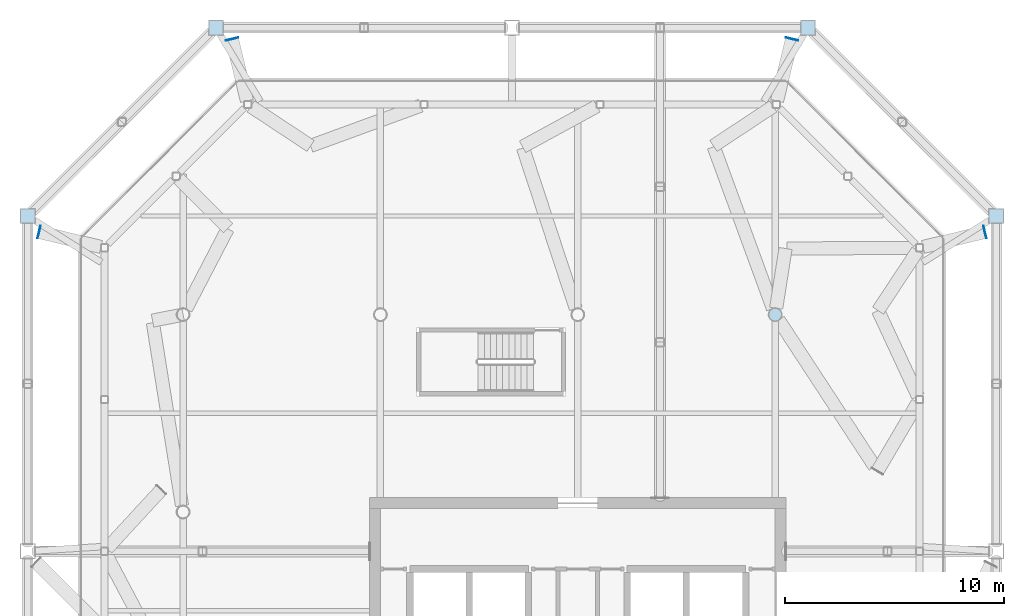
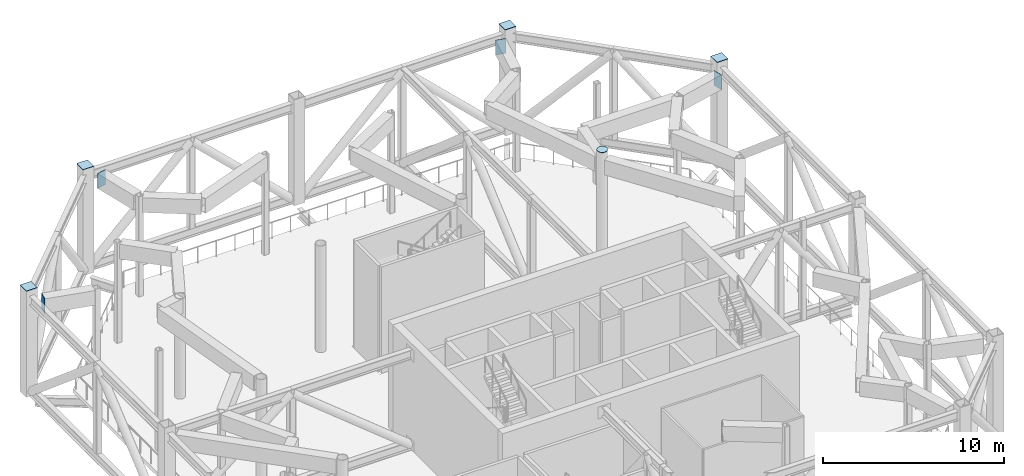
# One storey, part 10 of 17: 9 plates.
"""IFC4 building model written with IfcOpenShell, lengths in metres."""

from ifc_helpers import new_model, si_unit, direction, frame, origin, origin_2d, place, context, subcontext, project, spatial, rectangle, circle, extrude, material, material_profile, profile_set, type_object, element, save


model = new_model("IFC4")

# Units and contexts
model_context = context("Model", 3, precision=1e-05, world=origin(), true_north=direction((0.0, 1.0)))
body_context = subcontext(model_context, "Body", "Model", "MODEL_VIEW")
ifc_project = project(units=[si_unit("LENGTHUNIT", "METRE"), si_unit("AREAUNIT", "SQUARE_METRE"), si_unit("VOLUMEUNIT", "CUBIC_METRE"), si_unit("PLANEANGLEUNIT", "RADIAN"), si_unit("MASSUNIT", "GRAM", prefix="KILO")], contexts=[model_context])

# Site, building, storey
site_placement = place(None, origin())
site = spatial("IfcSite", under=ifc_project, at=site_placement, CompositionType="ELEMENT")
building_placement = place(site_placement, origin())
building = spatial("IfcBuilding", under=site, at=building_placement, Name="Tskaro Facet Tower", CompositionType="ELEMENT")
storey_placement = place(building_placement, frame((0.0, 0.0, 210.0)))
storey = spatial("IfcBuildingStorey", under=building, at=storey_placement, Name="L54", CompositionType="ELEMENT", Elevation=210.0)

# Plates
ifc_material = material(Name="Steel S355J2", Category="steel")
ifc_material_profile_1 = material_profile(ifc_material, rectangle(XDim=0.60009765625, YDim=1.0, at=origin_2d()), Name="PL 600x1000x30 end plate")
ifc_profile_set_1 = profile_set([ifc_material_profile_1], Name="Steel S355J2")
plate_type_1 = type_object("IfcPlateType", Name="PL 600x1000x30 end plate", PredefinedType="SHEET", material=ifc_profile_set_1)
for number, where, z_axis, x_axis, name in (
    (1, (18.550537109375, 12.7646484375, 6.280029296875), (0.971566162385, 0.236768224447, 0.0), (-0.236768224447, 0.971566162385, 0.0), "End plate CP8-38"),
    (2, (9.7646484375, 21.550537109375, 6.280029296875), (0.236768224447, 0.971566162385, 0.0), (-0.971566162385, 0.236768224447, 0.0), "End plate CP8-39"),
    (3, (-15.7646484375, 21.550537109375, 6.280029296875), (-0.236768224447, 0.971566162385, 0.0), (-0.971566162385, -0.236768224447, 0.0), "End plate CP8-40"),
    (4, (-24.550537109375, 12.7646484375, 6.280029296875), (-0.971566162385, 0.236768224447, 0.0), (-0.236768224447, -0.971566162385, 0.0), "End plate CP8-41"),
):
    element("IfcPlate", number, at=place(storey_placement, frame(where, z_axis=z_axis, x_axis=x_axis)), inside=storey, type_object=plate_type_1, Name=name, PredefinedType="SHEET", context=body_context, shape_type="SweptSolid", body=[
        extrude(rectangle(XDim=0.60009765625, YDim=1.0, at=origin_2d()), origin(), (0.0, 0.0, 1.0), 0.02978515625),
    ])
ifc_material_profile_2 = material_profile(ifc_material, circle(Radius=0.304931640625, at=origin_2d()), Name="PL 610 dia x30 end plate")
ifc_profile_set_2 = profile_set([ifc_material_profile_2], Name="Steel S355J2")
plate_type_2 = type_object("IfcPlateType", Name="PL 610 dia x30 end plate", PredefinedType="SHEET", material=ifc_profile_set_2)
plate_placement = place(storey_placement, frame((9.0, 9.0, 7.199951171875), z_axis=(0.0, 0.0, 1.0), x_axis=(1.0, 0.0, 0.0)))
element("IfcPlate", 5, at=plate_placement, inside=storey, type_object=plate_type_2, Name="End plate CP2-02", PredefinedType="SHEET", context=body_context, shape_type="SweptSolid", body=[
    extrude(circle(Radius=0.304931640625, at=origin_2d()), origin(), (0.0, 0.0, 1.0), 0.030029296875),
])
ifc_material_profile_3 = material_profile(ifc_material, rectangle(XDim=0.699951171875, YDim=0.699951171875, at=origin_2d()), Name="PL 700x700x30 end plate")
ifc_profile_set_3 = profile_set([ifc_material_profile_3], Name="Steel S355J2")
plate_type_3 = type_object("IfcPlateType", Name="PL 700x700x30 end plate", PredefinedType="SHEET", material=ifc_profile_set_3)
for number, where, z_axis, x_axis, name in (
    (6, (19.0849609375, 13.4970703125, 7.1513671875), (0.0, 0.0, 1.0), (1.0, 0.0, 0.0), "End plate CP6-01"),
    (7, (10.4970703125, 22.0849609375, 7.1513671875), (0.0, 0.0, 1.0), (1.0, 0.0, 0.0), "End plate CP6-02"),
    (8, (-16.4970703125, 22.0849609375, 7.1513671875), (0.0, 0.0, 1.0), (1.0, 0.0, 0.0), "End plate CP6-03"),
    (9, (-25.0849609375, 13.4970703125, 7.1513671875), (0.0, 0.0, 1.0), (1.0, 0.0, 0.0), "End plate CP6-04"),
):
    element("IfcPlate", number, at=place(storey_placement, frame(where, z_axis=z_axis, x_axis=x_axis)), inside=storey, type_object=plate_type_3, Name=name, PredefinedType="SHEET", context=body_context, shape_type="SweptSolid", body=[
        extrude(rectangle(XDim=0.699951171875, YDim=0.699951171875, at=origin_2d()), origin(), (0.0, 0.0, 1.0), 0.030029296875),
    ])

save(model, "model.ifc")
